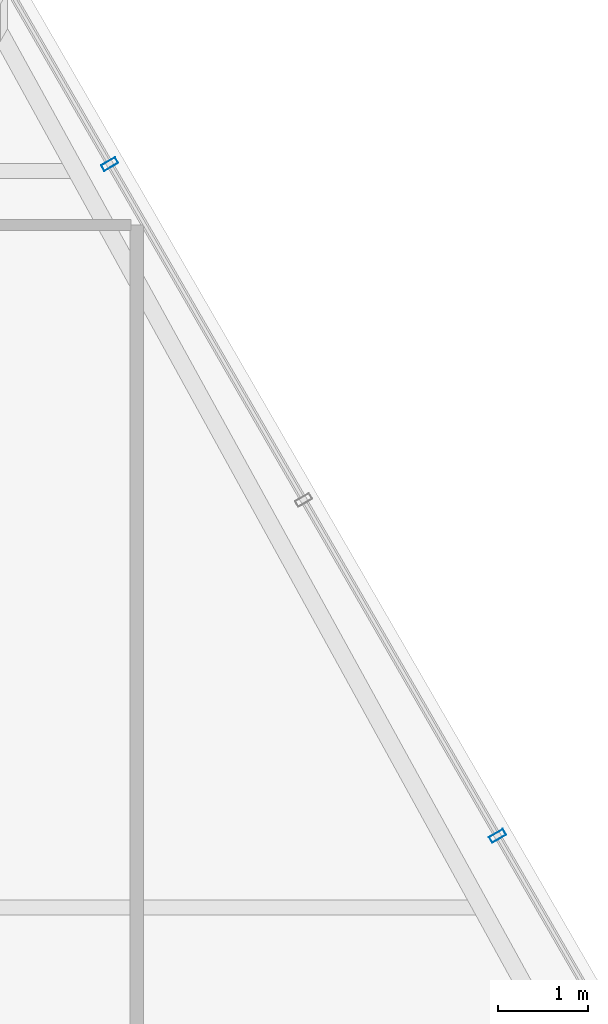
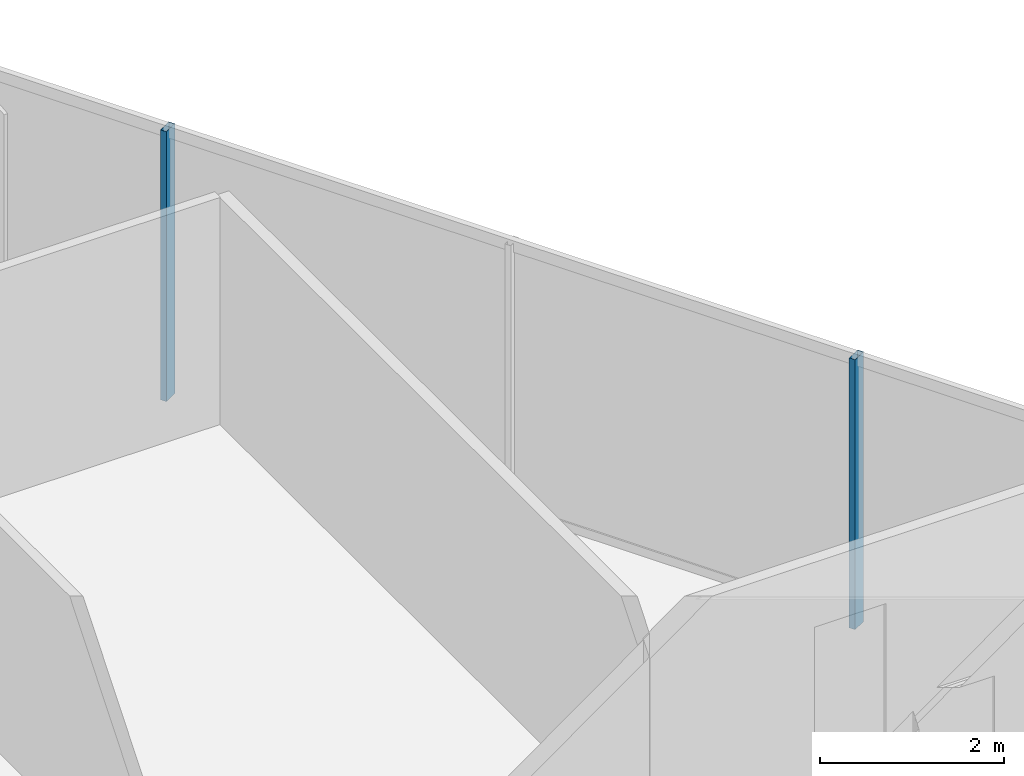
# One storey, part 17 of 30: 2 members, 1 element without a shape of its own.
"""IFC4 building model written with IfcOpenShell, lengths in metres."""

from ifc_helpers import new_model, si_unit, direction, frame, origin, origin_2d, place, context, subcontext, project, spatial, hollow_rectangle, extrude, material, layer, layer_set, material_profile, profile_set, type_object, element, aggregate, save


model = new_model("IFC4")

# Units and contexts
model_context = context("Model", 3, precision=1e-05, world=origin(), true_north=direction((0.0, 1.0)))
body_context = subcontext(model_context, "Body", "Model", "MODEL_VIEW")
ifc_project = project(units=[si_unit("LENGTHUNIT", "METRE"), si_unit("AREAUNIT", "SQUARE_METRE"), si_unit("VOLUMEUNIT", "CUBIC_METRE"), si_unit("PLANEANGLEUNIT", "RADIAN"), si_unit("MASSUNIT", "GRAM", prefix="KILO")], contexts=[model_context])

# Site, building, storey
site_placement = place(None, origin())
site = spatial("IfcSite", under=ifc_project, at=site_placement, CompositionType="ELEMENT")
building_placement = place(site_placement, origin())
building = spatial("IfcBuilding", under=site, at=building_placement, Name="Ndaravel Arena Tower", CompositionType="ELEMENT")
storey_placement = place(building_placement, frame((0.0, 0.0, 225.60009765625)))
storey = spatial("IfcBuildingStorey", under=building, at=storey_placement, Name="L54", CompositionType="ELEMENT", Elevation=225.60009765625)

# Curtain wall, members
ifc_material_1 = material(Name="Aluminium", Category="aluminium")
ifc_layer = layer(ifc_material_1, 0.179931640625)
ifc_layer_set = layer_set([ifc_layer], Name="Aluminium")
curtain_wall_type = type_object("IfcCurtainWallType", Name="CW-SYS-03", PredefinedType="NOTDEFINED", material=ifc_layer_set)
curtain_wall_placement = place(storey_placement, origin())
curtain_wall = element("IfcCurtainWall", 1, at=curtain_wall_placement, inside=storey, type_object=curtain_wall_type, Name="L54 Faceted Crystal Curtain Wall CW-L54-E03", PredefinedType="NOTDEFINED")
ifc_material_2 = material(Name="Aluminium", Category="aluminium")
ifc_material_profile = material_profile(ifc_material_2, hollow_rectangle(XDim=0.074951171875, YDim=0.179931640625, WallThickness=0.00390625, at=origin_2d()), Name="CW MULLION 75x180x4")
ifc_profile_set = profile_set([ifc_material_profile], Name="Aluminium")
member_type = type_object("IfcMemberType", Name="MEM-CW-MUL180", PredefinedType="MULLION", material=ifc_profile_set)
member_1_placement = place(storey_placement, frame((61.0166015625, 19.398193359375, 0.0), z_axis=(0.0, 0.0, 1.0), x_axis=(-0.5, 0.866025403784, 0.0)))
member_1 = element("IfcMember", 2, at=member_1_placement, type_object=member_type, Name="CW-L54-E03 Mullion 02", PredefinedType="MULLION", context=body_context, shape_type="SweptSolid", body=[
    extrude(hollow_rectangle(XDim=0.074951171875, YDim=0.179931640625, WallThickness=0.00390625, at=origin_2d()), origin(), (0.0, 0.0, 1.0), 3.579833984375),
])
member_2_placement = place(storey_placement, frame((56.697998046875, 26.8779296875, 0.0), z_axis=(0.0, 0.0, 1.0), x_axis=(-0.5, 0.866025403784, 0.0)))
member_2 = element("IfcMember", 3, at=member_2_placement, type_object=member_type, Name="CW-L54-E03 Mullion 04", PredefinedType="MULLION", context=body_context, shape_type="SweptSolid", body=[
    extrude(hollow_rectangle(XDim=0.074951171875, YDim=0.179931640625, WallThickness=0.00390625, at=origin_2d()), origin(), (0.0, 0.0, 1.0), 3.579833984375),
])
aggregate(curtain_wall, [member_1, member_2])

save(model, "model.ifc")
